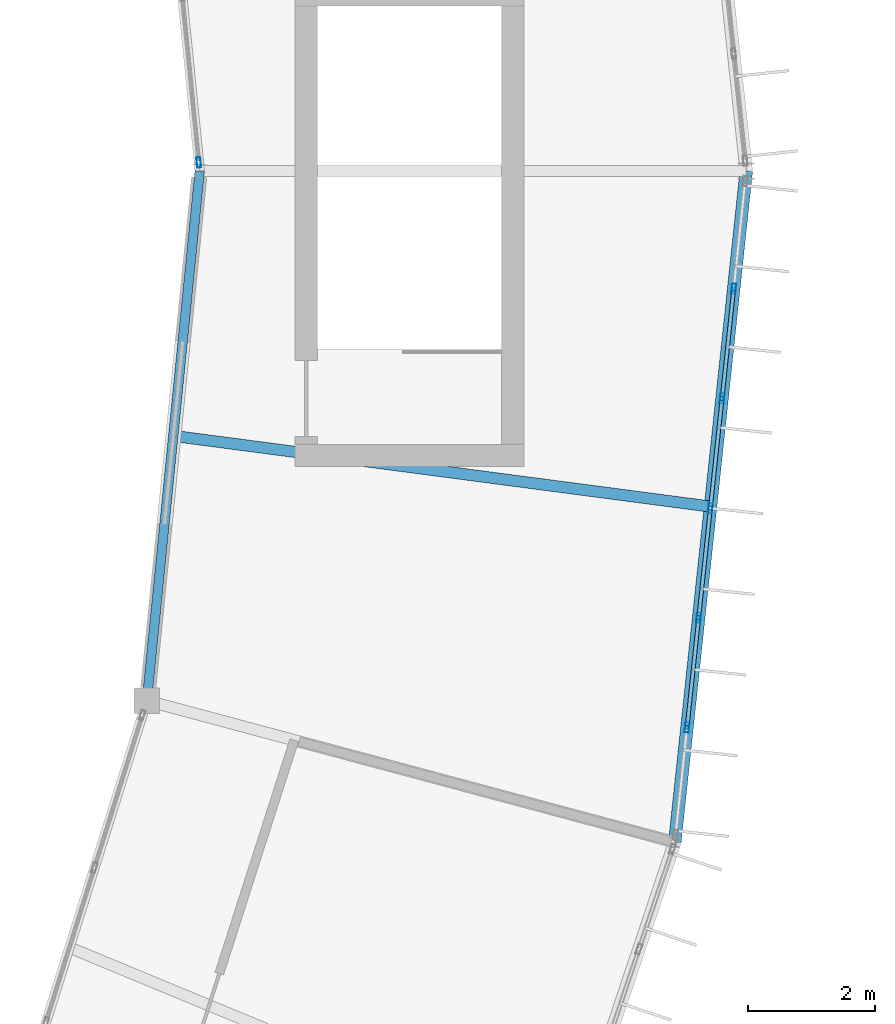
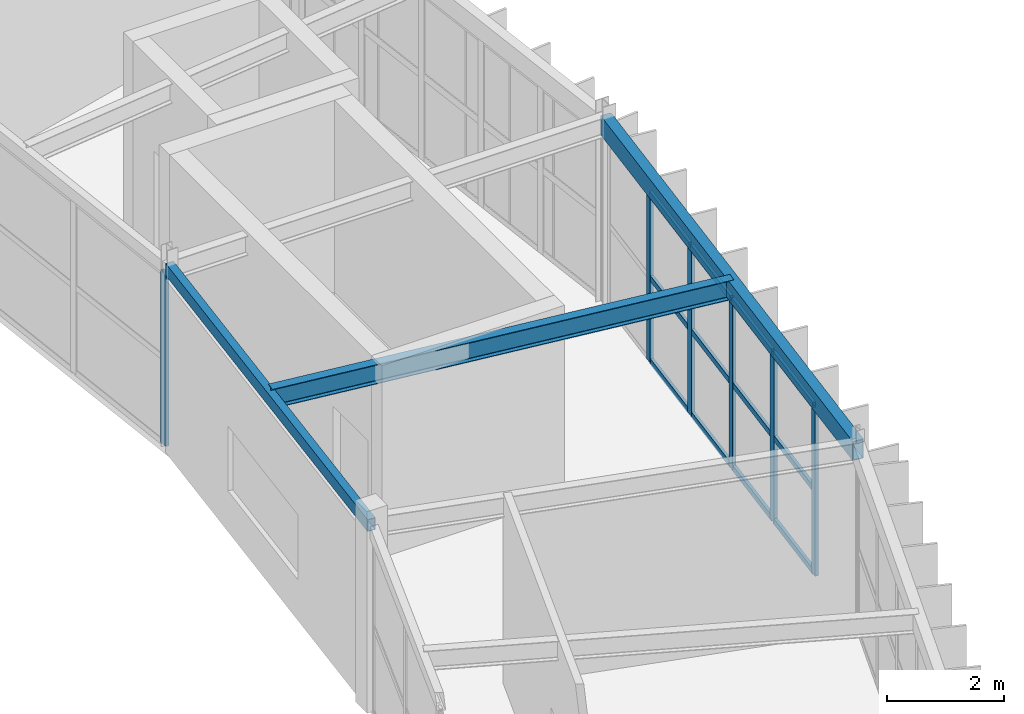
# One storey, part 26 of 66: 18 members, 3 beams, 2 elements without a shape of their own.
"""IFC4 building model written with IfcOpenShell, lengths in metres."""

from ifc_helpers import new_model, si_unit, direction, frame, origin, origin_2d, place, context, subcontext, project, spatial, hollow_rectangle, i_section, extrude, material, material_profile, profile_set, type_object, element, aggregate, save


model = new_model("IFC4")

# Units and contexts
model_context = context("Model", 3, precision=1e-05, world=origin(), true_north=direction((0.0, 1.0)))
body_context = subcontext(model_context, "Body", "Model", "MODEL_VIEW")
ifc_project = project(units=[si_unit("LENGTHUNIT", "METRE"), si_unit("AREAUNIT", "SQUARE_METRE"), si_unit("VOLUMEUNIT", "CUBIC_METRE"), si_unit("PLANEANGLEUNIT", "RADIAN"), si_unit("MASSUNIT", "GRAM", prefix="KILO")], contexts=[model_context])

# Site, building, storey
site_placement = place(None, origin())
site = spatial("IfcSite", under=ifc_project, at=site_placement, CompositionType="ELEMENT")
building_placement = place(site_placement, origin())
building = spatial("IfcBuilding", under=site, at=building_placement, Name="Karori Crest Natural Sciences Institute", CompositionType="ELEMENT")
storey_placement = place(building_placement, frame((0.0, 0.0, 30.10009765625)))
storey = spatial("IfcBuildingStorey", under=building, at=storey_placement, Name="L07", CompositionType="ELEMENT", Elevation=30.10009765625)

# Beams
ifc_material_1 = material(Name="Structural steel AS/NZS 3679.1 Grade 350", Category="steel")
ifc_material_profile_1 = material_profile(ifc_material_1, i_section(OverallWidth=0.177978515625, OverallDepth=0.406005859375, WebThickness=0.0078125, FlangeThickness=0.0126953125, FilletRadius=0.010986328125, at=origin_2d()), Name="410UB59.7")
ifc_profile_set_1 = profile_set([ifc_material_profile_1], Name="Structural steel AS/NZS 3679.1 Grade 350")
beam_type_1 = type_object("IfcBeamType", Name="BT-07", PredefinedType="BEAM", material=ifc_profile_set_1)
beam_1_placement = place(storey_placement, frame((90.38427734375, 45.73291015625, 3.739990234375), z_axis=(0.99144708217, -0.13050932249, 0.0), x_axis=(0.13050932249, 0.99144708217, 0.0)))
element("IfcBeam", 1, at=beam_1_placement, inside=storey, type_object=beam_type_1, Name="Beam B-2904", PredefinedType="BEAM", context=body_context, shape_type="SweptSolid", body=[
    extrude(i_section(OverallWidth=0.177978515625, OverallDepth=0.406005859375, WebThickness=0.0078125, FlangeThickness=0.0126953125, FilletRadius=0.010986328125, at=origin_2d()), origin(), (0.0, 0.0, 1.0), 8.526611328125),
])
ifc_material_2 = material(Name="Hollow structural steel AS/NZS 1163 Grade C350", Category="steel")
ifc_material_profile_2 = material_profile(ifc_material_2, hollow_rectangle(XDim=0.199951171875, YDim=0.39990234375, WallThickness=0.012451171875, at=origin_2d()), Name="RHS400x200x12.5")
ifc_profile_set_2 = profile_set([ifc_material_profile_2], Name="Hollow structural steel AS/NZS 1163 Grade C350")
beam_type_2 = type_object("IfcBeamType", Name="BT-14", PredefinedType="SPANDREL", material=ifc_profile_set_2)
beam_2_placement = place(storey_placement, frame((98.275634765625, 39.340087890625, 3.739990234375), z_axis=(0.105868278464, 0.994380162521, 0.0), x_axis=(-0.994380162521, 0.105868278464, 0.0)))
element("IfcBeam", 2, at=beam_2_placement, inside=storey, type_object=beam_type_2, Name="Beam B-0713", PredefinedType="SPANDREL", context=body_context, shape_type="SweptSolid", body=[
    extrude(hollow_rectangle(XDim=0.199951171875, YDim=0.39990234375, WallThickness=0.012451171875, at=origin_2d()), origin(), (0.0, 0.0, 1.0), 10.619384765625),
])
ifc_material_profile_3 = material_profile(ifc_material_2, hollow_rectangle(XDim=0.14990234375, YDim=0.25, WallThickness=0.009033203125, at=origin_2d()), Name="RHS250x150x9")
ifc_profile_set_3 = profile_set([ifc_material_profile_3], Name="Hollow structural steel AS/NZS 1163 Grade C350")
beam_type_3 = type_object("IfcBeamType", Name="BT-16", PredefinedType="SPANDREL", material=ifc_profile_set_3)
beam_3_placement = place(storey_placement, frame((89.968505859375, 41.56591796875, 3.739990234375), z_axis=(0.099284371237, 0.99505910057, 0.0), x_axis=(-0.99505910057, 0.099284371237, 0.0)))
element("IfcBeam", 3, at=beam_3_placement, inside=storey, type_object=beam_type_3, Name="Beam B-0714", PredefinedType="SPANDREL", context=body_context, shape_type="SweptSolid", body=[
    extrude(hollow_rectangle(XDim=0.14990234375, YDim=0.25, WallThickness=0.009033203125, at=origin_2d()), origin(), (0.0, 0.0, 1.0), 8.37548828125),
])

# Curtain wall, members
ifc_material_3 = material(Name="Anodised architectural aluminium 6063-T6", Category="aluminium")
curtain_wall_type_1 = type_object("IfcCurtainWallType", Name="CWT-04", PredefinedType="NOTDEFINED", material=ifc_material_3)
curtain_wall_1_placement = place(storey_placement, origin())
curtain_wall_1 = element("IfcCurtainWall", 4, at=curtain_wall_1_placement, inside=storey, type_object=curtain_wall_type_1, Name="Curtain wall CW-0242", PredefinedType="NOTDEFINED")
ifc_material_profile_4 = material_profile(ifc_material_3, hollow_rectangle(XDim=0.06494140625, YDim=0.159912109375, WallThickness=0.00390625, at=origin_2d()), Name="CWM160x65x4")
ifc_profile_set_4 = profile_set([ifc_material_profile_4], Name="Anodised architectural aluminium 6063-T6")
member_type_1 = type_object("IfcMemberType", Name="CWM-01", PredefinedType="MULLION", material=ifc_profile_set_4)
member_1_placement = place(storey_placement, frame((99.20263671875, 48.046630859375, 0.0), z_axis=(0.0, 0.0, 1.0), x_axis=(0.994378309998, -0.105885677057, 0.0)))
member_1 = element("IfcMember", 5, at=member_1_placement, type_object=member_type_1, Name="CW-0242 mullion 2", PredefinedType="MULLION", context=body_context, shape_type="SweptSolid", body=[
    extrude(hollow_rectangle(XDim=0.06494140625, YDim=0.159912109375, WallThickness=0.00390625, at=origin_2d()), origin(), (0.0, 0.0, 1.0), 3.52490234375),
])
member_2_placement = place(storey_placement, frame((99.01904296875, 46.321044921875, 0.0), z_axis=(0.0, 0.0, 1.0), x_axis=(0.994378309998, -0.105885677057, 0.0)))
member_2 = element("IfcMember", 6, at=member_2_placement, type_object=member_type_1, Name="CW-0242 mullion 3", PredefinedType="MULLION", context=body_context, shape_type="SweptSolid", body=[
    extrude(hollow_rectangle(XDim=0.06494140625, YDim=0.159912109375, WallThickness=0.00390625, at=origin_2d()), origin(), (0.0, 0.0, 1.0), 3.52490234375),
])
member_3_placement = place(storey_placement, frame((98.835205078125, 44.595703125, 0.0), z_axis=(0.0, 0.0, 1.0), x_axis=(0.994378309998, -0.105885677057, 0.0)))
member_3 = element("IfcMember", 7, at=member_3_placement, type_object=member_type_1, Name="CW-0242 mullion 4", PredefinedType="MULLION", context=body_context, shape_type="SweptSolid", body=[
    extrude(hollow_rectangle(XDim=0.06494140625, YDim=0.159912109375, WallThickness=0.00390625, at=origin_2d()), origin(), (0.0, 0.0, 1.0), 3.52490234375),
])
member_4_placement = place(storey_placement, frame((98.6513671875, 42.8701171875, 0.0), z_axis=(0.0, 0.0, 1.0), x_axis=(0.994378309998, -0.105885677057, 0.0)))
member_4 = element("IfcMember", 8, at=member_4_placement, type_object=member_type_1, Name="CW-0242 mullion 5", PredefinedType="MULLION", context=body_context, shape_type="SweptSolid", body=[
    extrude(hollow_rectangle(XDim=0.06494140625, YDim=0.159912109375, WallThickness=0.00390625, at=origin_2d()), origin(), (0.0, 0.0, 1.0), 3.52490234375),
])
member_5_placement = place(storey_placement, frame((98.4677734375, 41.144775390625, 0.0), z_axis=(0.0, 0.0, 1.0), x_axis=(0.994378309998, -0.105885677057, 0.0)))
member_5 = element("IfcMember", 9, at=member_5_placement, type_object=member_type_1, Name="CW-0242 mullion 6", PredefinedType="MULLION", context=body_context, shape_type="SweptSolid", body=[
    extrude(hollow_rectangle(XDim=0.06494140625, YDim=0.159912109375, WallThickness=0.00390625, at=origin_2d()), origin(), (0.0, 0.0, 1.0), 3.52490234375),
])

# Curtain wall, member
curtain_wall_type_2 = type_object("IfcCurtainWallType", Name="CWT-11", PredefinedType="NOTDEFINED", material=ifc_material_3)
curtain_wall_2_placement = place(storey_placement, origin())
curtain_wall_2 = element("IfcCurtainWall", 10, at=curtain_wall_2_placement, inside=storey, type_object=curtain_wall_type_2, Name="Curtain wall CW-0244", PredefinedType="NOTDEFINED")
member_6_placement = place(storey_placement, frame((90.786376953125, 50.035400390625, 0.0), z_axis=(0.0, 0.0, 1.0), x_axis=(-0.995060684604, -0.099268494275, 0.0)))
member_6 = element("IfcMember", 11, at=member_6_placement, type_object=member_type_1, Name="CW-0244 mullion 1", PredefinedType="MULLION", context=body_context, shape_type="SweptSolid", body=[
    extrude(hollow_rectangle(XDim=0.06494140625, YDim=0.159912109375, WallThickness=0.00390625, at=origin_2d()), origin(), (0.0, 0.0, 1.0), 3.599853515625),
])
aggregate(curtain_wall_2, [member_6])

# Member
ifc_material_profile_5 = material_profile(ifc_material_3, hollow_rectangle(XDim=0.06005859375, YDim=0.1201171875, WallThickness=0.00390625, at=origin_2d()), Name="CWT120x60x4")
ifc_profile_set_5 = profile_set([ifc_material_profile_5], Name="Anodised architectural aluminium 6063-T6")
member_type_2 = type_object("IfcMemberType", Name="CWT-TR1", PredefinedType="USERDEFINED", material=ifc_profile_set_5)
member_7_placement = place(storey_placement, frame((99.19921875, 48.01416015625, 0.02978515625), z_axis=(-0.105841415473, -0.994383022165, 0.0), x_axis=(0.994383022165, -0.105841415473, 0.0)))
member_7 = element("IfcMember", 12, at=member_7_placement, type_object=member_type_2, Name="CW-0242 transom 2.1", ObjectType="TRANSOM", PredefinedType="USERDEFINED", context=body_context, shape_type="SweptSolid", body=[
    extrude(hollow_rectangle(XDim=0.06005859375, YDim=0.1201171875, WallThickness=0.00390625, at=origin_2d()), origin(), (0.0, 0.0, 1.0), 1.669921875),
])

member_8_placement = place(storey_placement, frame((99.19921875, 48.01416015625, 1.762451171875), z_axis=(-0.105841415473, -0.994383022165, 0.0), x_axis=(0.994383022165, -0.105841415473, 0.0)))
member_8 = element("IfcMember", 13, at=member_8_placement, type_object=member_type_2, Name="CW-0242 transom 2.2", ObjectType="TRANSOM", PredefinedType="USERDEFINED", context=body_context, shape_type="SweptSolid", body=[
    extrude(hollow_rectangle(XDim=0.06005859375, YDim=0.1201171875, WallThickness=0.00390625, at=origin_2d()), origin(), (0.0, 0.0, 1.0), 1.669921875),
])

member_9_placement = place(storey_placement, frame((99.19921875, 48.01416015625, 3.494873046875), z_axis=(-0.105841415473, -0.994383022165, 0.0), x_axis=(0.994383022165, -0.105841415473, 0.0)))
member_9 = element("IfcMember", 14, at=member_9_placement, type_object=member_type_2, Name="CW-0242 transom 2.3", ObjectType="TRANSOM", PredefinedType="USERDEFINED", context=body_context, shape_type="SweptSolid", body=[
    extrude(hollow_rectangle(XDim=0.06005859375, YDim=0.1201171875, WallThickness=0.00390625, at=origin_2d()), origin(), (0.0, 0.0, 1.0), 1.669921875),
])

member_10_placement = place(storey_placement, frame((99.015380859375, 46.288818359375, 0.02978515625), z_axis=(-0.105826031672, -0.994384659486, 0.0), x_axis=(0.994384659486, -0.105826031672, 0.0)))
member_10 = element("IfcMember", 15, at=member_10_placement, type_object=member_type_2, Name="CW-0242 transom 3.1", ObjectType="TRANSOM", PredefinedType="USERDEFINED", context=body_context, shape_type="SweptSolid", body=[
    extrude(hollow_rectangle(XDim=0.06005859375, YDim=0.1201171875, WallThickness=0.00390625, at=origin_2d()), origin(), (0.0, 0.0, 1.0), 1.670166015625),
])

member_11_placement = place(storey_placement, frame((99.015380859375, 46.288818359375, 1.762451171875), z_axis=(-0.105826031672, -0.994384659486, 0.0), x_axis=(0.994384659486, -0.105826031672, 0.0)))
member_11 = element("IfcMember", 16, at=member_11_placement, type_object=member_type_2, Name="CW-0242 transom 3.2", ObjectType="TRANSOM", PredefinedType="USERDEFINED", context=body_context, shape_type="SweptSolid", body=[
    extrude(hollow_rectangle(XDim=0.06005859375, YDim=0.1201171875, WallThickness=0.00390625, at=origin_2d()), origin(), (0.0, 0.0, 1.0), 1.670166015625),
])

member_12_placement = place(storey_placement, frame((99.015380859375, 46.288818359375, 3.494873046875), z_axis=(-0.105826031672, -0.994384659486, 0.0), x_axis=(0.994384659486, -0.105826031672, 0.0)))
member_12 = element("IfcMember", 17, at=member_12_placement, type_object=member_type_2, Name="CW-0242 transom 3.3", ObjectType="TRANSOM", PredefinedType="USERDEFINED", context=body_context, shape_type="SweptSolid", body=[
    extrude(hollow_rectangle(XDim=0.06005859375, YDim=0.1201171875, WallThickness=0.00390625, at=origin_2d()), origin(), (0.0, 0.0, 1.0), 1.670166015625),
])

member_13_placement = place(storey_placement, frame((98.831787109375, 44.563232421875, 0.02978515625), z_axis=(-0.105841415473, -0.994383022165, 0.0), x_axis=(0.994383022165, -0.105841415473, 0.0)))
member_13 = element("IfcMember", 18, at=member_13_placement, type_object=member_type_2, Name="CW-0242 transom 4.1", ObjectType="TRANSOM", PredefinedType="USERDEFINED", context=body_context, shape_type="SweptSolid", body=[
    extrude(hollow_rectangle(XDim=0.06005859375, YDim=0.1201171875, WallThickness=0.00390625, at=origin_2d()), origin(), (0.0, 0.0, 1.0), 1.669921875),
])

member_14_placement = place(storey_placement, frame((98.831787109375, 44.563232421875, 1.762451171875), z_axis=(-0.105841415473, -0.994383022165, 0.0), x_axis=(0.994383022165, -0.105841415473, 0.0)))
member_14 = element("IfcMember", 19, at=member_14_placement, type_object=member_type_2, Name="CW-0242 transom 4.2", ObjectType="TRANSOM", PredefinedType="USERDEFINED", context=body_context, shape_type="SweptSolid", body=[
    extrude(hollow_rectangle(XDim=0.06005859375, YDim=0.1201171875, WallThickness=0.00390625, at=origin_2d()), origin(), (0.0, 0.0, 1.0), 1.669921875),
])

member_15_placement = place(storey_placement, frame((98.831787109375, 44.563232421875, 3.494873046875), z_axis=(-0.105841415473, -0.994383022165, 0.0), x_axis=(0.994383022165, -0.105841415473, 0.0)))
member_15 = element("IfcMember", 20, at=member_15_placement, type_object=member_type_2, Name="CW-0242 transom 4.3", ObjectType="TRANSOM", PredefinedType="USERDEFINED", context=body_context, shape_type="SweptSolid", body=[
    extrude(hollow_rectangle(XDim=0.06005859375, YDim=0.1201171875, WallThickness=0.00390625, at=origin_2d()), origin(), (0.0, 0.0, 1.0), 1.669921875),
])

member_16_placement = place(storey_placement, frame((98.64794921875, 42.837890625, 0.02978515625), z_axis=(-0.105826031672, -0.994384659486, 0.0), x_axis=(0.994384659486, -0.105826031672, 0.0)))
member_16 = element("IfcMember", 21, at=member_16_placement, type_object=member_type_2, Name="CW-0242 transom 5.1", ObjectType="TRANSOM", PredefinedType="USERDEFINED", context=body_context, shape_type="SweptSolid", body=[
    extrude(hollow_rectangle(XDim=0.06005859375, YDim=0.1201171875, WallThickness=0.00390625, at=origin_2d()), origin(), (0.0, 0.0, 1.0), 1.670166015625),
])

member_17_placement = place(storey_placement, frame((98.64794921875, 42.837890625, 1.762451171875), z_axis=(-0.105826031672, -0.994384659486, 0.0), x_axis=(0.994384659486, -0.105826031672, 0.0)))
member_17 = element("IfcMember", 22, at=member_17_placement, type_object=member_type_2, Name="CW-0242 transom 5.2", ObjectType="TRANSOM", PredefinedType="USERDEFINED", context=body_context, shape_type="SweptSolid", body=[
    extrude(hollow_rectangle(XDim=0.06005859375, YDim=0.1201171875, WallThickness=0.00390625, at=origin_2d()), origin(), (0.0, 0.0, 1.0), 1.670166015625),
])

member_18_placement = place(storey_placement, frame((98.64794921875, 42.837890625, 3.494873046875), z_axis=(-0.105826031672, -0.994384659486, 0.0), x_axis=(0.994384659486, -0.105826031672, 0.0)))
member_18 = element("IfcMember", 23, at=member_18_placement, type_object=member_type_2, Name="CW-0242 transom 5.3", ObjectType="TRANSOM", PredefinedType="USERDEFINED", context=body_context, shape_type="SweptSolid", body=[
    extrude(hollow_rectangle(XDim=0.06005859375, YDim=0.1201171875, WallThickness=0.00390625, at=origin_2d()), origin(), (0.0, 0.0, 1.0), 1.670166015625),
])

aggregate(curtain_wall_1, [member_1, member_2, member_3, member_4, member_5, member_7, member_8, member_9, member_10, member_11, member_12, member_13, member_14, member_15, member_16, member_17, member_18])

save(model, "model.ifc")
